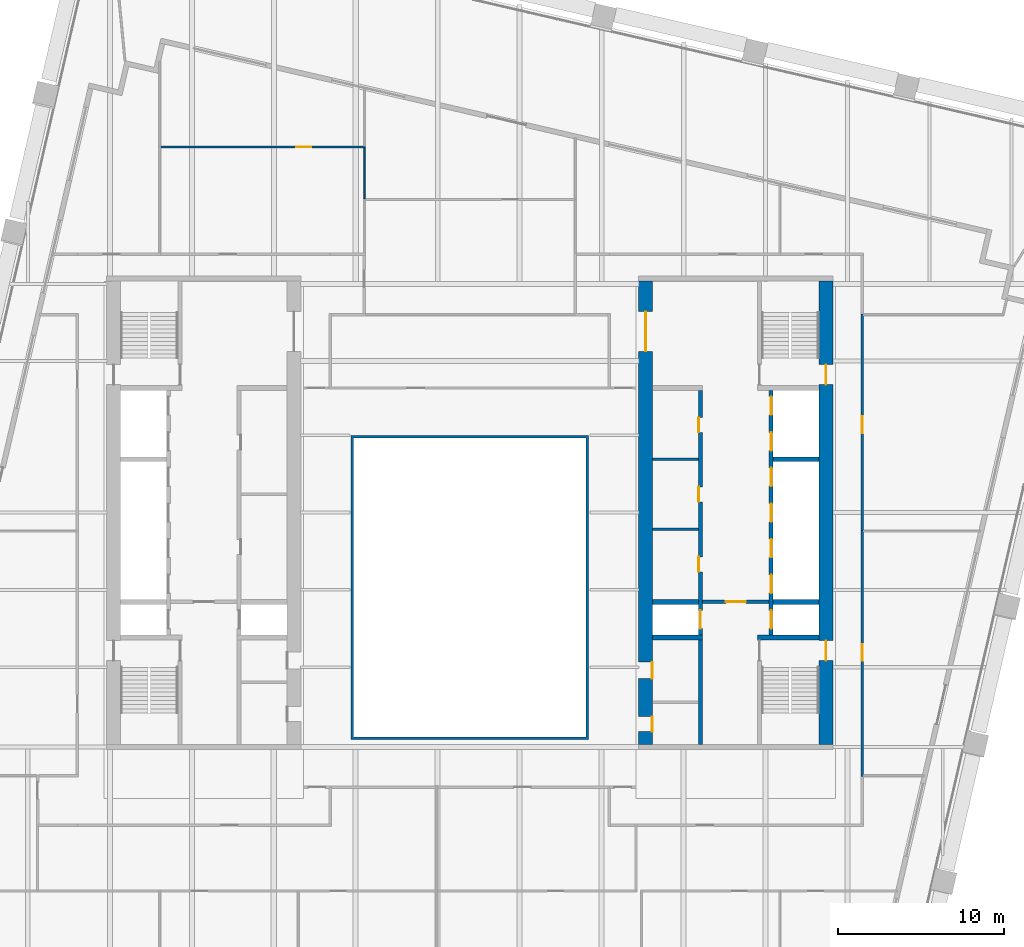
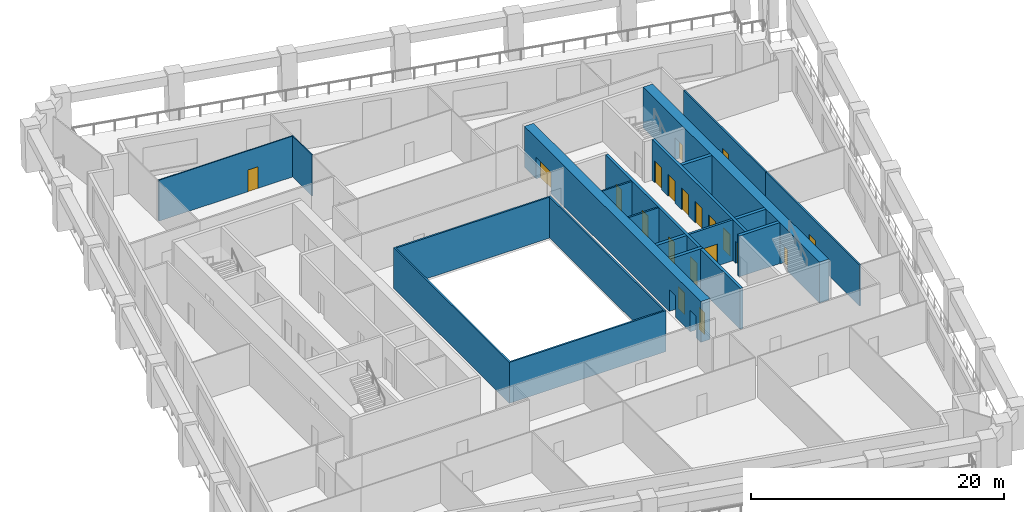
# One storey, part 6 of 10: 20 doors, 17 walls, 20 openings.
"""IFC4 building model written with IfcOpenShell, lengths in metres."""

from ifc_helpers import new_model, si_unit, direction, frame, frame_2d, origin, place, context, subcontext, project, spatial, polyline, rectangle, outline, extrude, material, layer, layer_set, type_object, element, fill, save


model = new_model("IFC4")

# Units and contexts
model_context = context("Model", 3, precision=1e-05, world=origin(), true_north=direction((0.0, 1.0)))
body_context = subcontext(model_context, "Body", "Model", "MODEL_VIEW")
ifc_project = project(units=[si_unit("LENGTHUNIT", "METRE"), si_unit("AREAUNIT", "SQUARE_METRE"), si_unit("VOLUMEUNIT", "CUBIC_METRE"), si_unit("PLANEANGLEUNIT", "RADIAN"), si_unit("MASSUNIT", "GRAM", prefix="KILO")], contexts=[model_context])

# Site, building, storey
site_placement = place(None, origin())
site = spatial("IfcSite", under=ifc_project, at=site_placement, CompositionType="ELEMENT")
building_placement = place(site_placement, origin())
building = spatial("IfcBuilding", under=site, at=building_placement, Name="Ogive Exchange Tower", CompositionType="ELEMENT")
storey_placement = place(building_placement, frame((0.0, 0.0, 151.800048828125)))
storey = spatial("IfcBuildingStorey", under=building, at=storey_placement, Name="L33", CompositionType="ELEMENT", Elevation=151.800048828125)

# Walls
ifc_material_1 = material(Name="Gypsum board partition")
ifc_layer_1 = layer(ifc_material_1, 0.14990234375)
ifc_layer_set_1 = layer_set([ifc_layer_1], Name="Core room partition 150 gypsum")
wall_type_1 = type_object("IfcWallType", Name="Core room partition 150 gypsum", PredefinedType="PARTITIONING", material=ifc_layer_set_1)
for number, where, z_axis, x_axis, name in (
    (1, (11.0, 10.5, 0.0), (0.0, 0.0, 1.0), (1.0, 0.0, 0.0), "E row B bay partition 1-1"),
    (2, (11.0, 14.699951171875, 0.0), (0.0, 0.0, 1.0), (1.0, 0.0, 0.0), "E row B bay partition 1-2"),
):
    element("IfcWall", number, at=place(storey_placement, frame(where, z_axis=z_axis, x_axis=x_axis)), inside=storey, type_object=wall_type_1, Name=name, PredefinedType="PARTITIONING", context=body_context, shape_type="SweptSolid", body=[
        extrude(rectangle(XDim=2.75, YDim=0.14990234375, at=frame_2d((1.375, 0.0))), origin(), (0.0, 0.0, 1.0), 3.949951171875),
    ])

# Wall, opening, door
ifc_material_2 = material(Name="Fire partition EI 60 150")
ifc_layer_2 = layer(ifc_material_2, 0.14990234375)
ifc_layer_set_2 = layer_set([ifc_layer_2], Name="Fire partition EI 60 150")
wall_type_2 = type_object("IfcWallType", Name="Fire partition EI 60 150", PredefinedType="PARTITIONING", material=ifc_layer_set_2)
wall_1_placement = place(storey_placement, frame((23.60009765625, 10.43994140625, 0.0), z_axis=(0.0, 0.0, 1.0), x_axis=(0.0, -1.0, 0.0)))
wall_1 = element("IfcWall", 3, at=wall_1_placement, inside=storey, type_object=wall_type_2, Name="L33-PWL-056", PredefinedType="PARTITIONING", context=body_context, shape_type="SweptSolid", body=[
    extrude(rectangle(XDim=14.81005859375, YDim=0.14990234375, at=frame_2d((7.405029296875, 0.0))), origin(), (0.0, 0.0, 1.0), 3.949951171875),
])
opening_1_placement = place(wall_1_placement, frame((6.860107421875, 0.0, 0.0)))
opening_1 = element("IfcOpeningElement", 4, at=opening_1_placement, cuts=wall_1, Name="Opening L33-I11", PredefinedType="OPENING", context=body_context, shape_type="SweptSolid", body=[
    extrude(rectangle(XDim=1.0, YDim=2.10009765625, at=frame_2d((0.5, 1.050048828125))), frame((0.0, 0.0849609375, 0.0), z_axis=(0.0, -1.0, 0.0), x_axis=(1.0, 0.0, 0.0)), (0.0, 0.0, 1.0), 0.169921875),
])
ifc_material_3 = material(Name="Fire door FD 30S 1000 x 2100")
door_type_1 = type_object("IfcDoorType", Name="Fire door FD 30S 1000 x 2100", OperationType="NOTDEFINED", PredefinedType="DOOR", material=ifc_material_3)
door_1_placement = place(opening_1_placement, origin())
door_1 = element("IfcDoor", 5, at=door_1_placement, inside=storey, type_object=door_type_1, Name="L33-IDR-011", ObjectType="DT3", OperationType="SINGLE_SWING_RIGHT", OverallHeight=2.10009765625, OverallWidth=1.0, PredefinedType="DOOR", context=body_context, shape_type="SweptSolid", body=[
    extrude(rectangle(XDim=1.0, YDim=2.10009765625, at=frame_2d((0.5, 1.050048828125))), frame((0.0, 0.02490234375, 0.0), z_axis=(0.0, -1.0, 0.0), x_axis=(1.0, 0.0, 0.0)), (0.0, 0.0, 1.0), 0.050048828125),
])
fill(opening_1, door_1)

wall_2_placement = place(storey_placement, frame((23.60009765625, 23.4599609375, 0.0), z_axis=(0.0, 0.0, 1.0), x_axis=(0.0, -1.0, 0.0)))
wall_2 = element("IfcWall", 6, at=wall_2_placement, inside=storey, type_object=wall_type_2, Name="L33-PWL-057", PredefinedType="PARTITIONING", context=body_context, shape_type="SweptSolid", body=[
    extrude(rectangle(XDim=13.02001953125, YDim=0.14990234375, at=frame_2d((6.510009765625, 0.0))), origin(), (0.0, 0.0, 1.0), 3.949951171875),
])
opening_2_placement = place(wall_2_placement, frame((6.169921875, 0.0, 0.0)))
opening_2 = element("IfcOpeningElement", 7, at=opening_2_placement, cuts=wall_2, Name="Opening L33-I03", PredefinedType="OPENING", context=body_context, shape_type="SweptSolid", body=[
    extrude(rectangle(XDim=1.0, YDim=2.10009765625, at=frame_2d((0.5, 1.050048828125))), frame((0.0, 0.0849609375, 0.0), z_axis=(0.0, -1.0, 0.0), x_axis=(1.0, 0.0, 0.0)), (0.0, 0.0, 1.0), 0.169921875),
])
door_2_placement = place(opening_2_placement, origin())
door_2 = element("IfcDoor", 8, at=door_2_placement, inside=storey, type_object=door_type_1, Name="L33-IDR-003", ObjectType="DT3", OperationType="SINGLE_SWING_LEFT", OverallHeight=2.10009765625, OverallWidth=1.0, PredefinedType="DOOR", context=body_context, shape_type="SweptSolid", body=[
    extrude(rectangle(XDim=1.0, YDim=2.10009765625, at=frame_2d((0.5, 1.050048828125))), frame((0.0, 0.02490234375, 0.0), z_axis=(0.0, -1.0, 0.0), x_axis=(1.0, 0.0, 0.0)), (0.0, 0.0, 1.0), 0.050048828125),
])
fill(opening_2, door_2)

# Wall
ifc_material_4 = material(Name="Fire-resisting glass in steel frame", Category="steel")
ifc_layer_3 = layer(ifc_material_4, 0.14990234375)
ifc_layer_set_3 = layer_set([ifc_layer_3], Name="Fire-rated glazed wall 150")
wall_type_3 = type_object("IfcWallType", Name="Fire-rated glazed wall 150", PredefinedType="STANDARD", material=ifc_layer_set_3)
wall_3_placement = place(storey_placement, origin())
element("IfcWall", 9, at=wall_3_placement, inside=storey, type_object=wall_type_3, Name="Nave enclosure wall", PredefinedType="STANDARD", context=body_context, shape_type="SweptSolid", body=[
    extrude(outline(polyline([(-7.14990234375, -2.14990234375), (7.14990234375, -2.14990234375), (7.14990234375, 16.14990234375), (-7.14990234375, 16.14990234375), (-7.14990234375, -2.14990234375)]), holes=[polyline([(-7.0, -2.0), (-7.0, 16.0), (7.0, 16.0), (7.0, -2.0), (-7.0, -2.0)])]), origin(), (0.0, 0.0, 1.0), 3.949951171875),
])

# Wall, opening, door
ifc_material_5 = material(Name="Partition 100 gypsum")
ifc_layer_4 = layer(ifc_material_5, 0.10009765625)
ifc_layer_set_4 = layer_set([ifc_layer_4], Name="Partition 100 gypsum")
wall_type_4 = type_object("IfcWallType", Name="Partition 100 gypsum", PredefinedType="PARTITIONING", material=ifc_layer_set_4)
wall_4_placement = place(storey_placement, frame((-18.60009765625, 33.5, 0.0), z_axis=(0.0, 0.0, 1.0), x_axis=(1.0, 0.0, 0.0)))
wall_4 = element("IfcWall", 10, at=wall_4_placement, inside=storey, type_object=wall_type_4, Name="L33-PWL-018", PredefinedType="PARTITIONING", context=body_context, shape_type="SweptSolid", body=[
    extrude(rectangle(XDim=12.31005859375, YDim=0.10009765625, at=frame_2d((6.155029296875, 0.0))), origin(), (0.0, 0.0, 1.0), 3.949951171875),
])
opening_3_placement = place(wall_4_placement, frame((8.159912109375, 0.0, 0.0)))
opening_3 = element("IfcOpeningElement", 11, at=opening_3_placement, cuts=wall_4, Name="Opening L33-I09", PredefinedType="OPENING", context=body_context, shape_type="SweptSolid", body=[
    extrude(rectangle(XDim=0.89990234375, YDim=2.10009765625, at=frame_2d((0.449951171875, 1.050048828125))), frame((0.0, 0.06005859375, 0.0), z_axis=(0.0, -1.0, 0.0), x_axis=(1.0, 0.0, 0.0)), (0.0, 0.0, 1.0), 0.1201171875),
])
ifc_material_6 = material(Name="Door 900 x 2100")
door_type_2 = type_object("IfcDoorType", Name="Door 900 x 2100", OperationType="NOTDEFINED", PredefinedType="DOOR", material=ifc_material_6)
door_3_placement = place(opening_3_placement, origin())
door_3 = element("IfcDoor", 12, at=door_3_placement, inside=storey, type_object=door_type_2, Name="L33-IDR-009", ObjectType="DT1", OperationType="SINGLE_SWING_LEFT", OverallHeight=2.10009765625, OverallWidth=0.89990234375, PredefinedType="DOOR", context=body_context, shape_type="SweptSolid", body=[
    extrude(rectangle(XDim=0.89990234375, YDim=2.10009765625, at=frame_2d((0.449951171875, 1.050048828125))), frame((0.0, 0.02490234375, 0.0), z_axis=(0.0, -1.0, 0.0), x_axis=(1.0, 0.0, 0.0)), (0.0, 0.0, 1.0), 0.050048828125),
])
fill(opening_3, door_3)

# Wall
wall_5_placement = place(storey_placement, frame((-6.340087890625, 30.389892578125, 0.0), z_axis=(0.0, 0.0, 1.0), x_axis=(0.0, 1.0, 0.0)))
element("IfcWall", 13, at=wall_5_placement, inside=storey, type_object=wall_type_4, Name="L33-PWL-030", PredefinedType="PARTITIONING", context=body_context, shape_type="SweptSolid", body=[
    extrude(rectangle(XDim=3.06005859375, YDim=0.10009765625, at=frame_2d((1.530029296875, 0.0))), origin(), (0.0, 0.0, 1.0), 3.949951171875),
])

# Wall, opening, door
ifc_material_7 = material(Name="Concrete C70/85", Category="concrete")
ifc_layer_5 = layer(ifc_material_7, 0.199951171875)
ifc_layer_set_5 = layer_set([ifc_layer_5], Name="RC core wall 200 C70/85")
wall_type_5 = type_object("IfcWallType", Name="RC core wall 200 C70/85", PredefinedType="SHEAR", material=ifc_layer_set_5)
wall_6_placement = place(storey_placement, frame((14.0, 6.142822265625, 0.0), z_axis=(0.0, 0.0, 1.0), x_axis=(1.0, 0.0, 0.0)))
wall_6 = element("IfcWall", 14, at=wall_6_placement, inside=storey, type_object=wall_type_5, Name="E firefighting lobby wall", PredefinedType="SHEAR", context=body_context, shape_type="SweptSolid", body=[
    extrude(rectangle(XDim=4.0, YDim=0.199951171875, at=frame_2d((2.0, 0.0))), origin(), (0.0, 0.0, 1.0), 3.949951171875),
])
opening_4_placement = place(wall_6_placement, frame((1.39990234375, 0.0, 0.0)))
opening_4 = element("IfcOpeningElement", 15, at=opening_4_placement, cuts=wall_6, Name="Opening L33-C30", PredefinedType="OPENING", context=body_context, shape_type="SweptSolid", body=[
    extrude(rectangle(XDim=1.199951171875, YDim=2.10009765625, at=frame_2d((0.60009765625, 1.050048828125))), frame((0.0, 0.10986328125, 0.0), z_axis=(0.0, -1.0, 0.0), x_axis=(1.0, 0.0, 0.0)), (0.0, 0.0, 1.0), 0.219970703125),
])
ifc_material_8 = material(Name="Steel fire door", Category="steel")
door_type_3 = type_object("IfcDoorType", Name="Firefighting lobby door FD60 1200 x 2100", OperationType="NOTDEFINED", PredefinedType="DOOR", material=ifc_material_8)
door_4_placement = place(opening_4_placement, frame((1.199951171875, 0.0, 0.0), z_axis=(0.0, 0.0, 1.0), x_axis=(-1.0, 0.0, 0.0)))
door_4 = element("IfcDoor", 16, at=door_4_placement, inside=storey, type_object=door_type_3, Name="Firefighting lobby door", ObjectType="CD3", OperationType="SINGLE_SWING_LEFT", OverallHeight=2.10009765625, OverallWidth=1.199951171875, PredefinedType="DOOR", context=body_context, shape_type="SweptSolid", body=[
    extrude(rectangle(XDim=1.199951171875, YDim=2.10009765625, at=frame_2d((0.60009765625, 1.050048828125))), frame((0.0, 0.02490234375, 0.0), z_axis=(0.0, -1.0, 0.0), x_axis=(1.0, 0.0, 0.0)), (0.0, 0.0, 1.0), 0.050048828125),
])
fill(opening_4, door_4)

# Wall, openings, doors
ifc_layer_6 = layer(ifc_material_7, 0.25)
ifc_layer_set_6 = layer_set([ifc_layer_6], Name="RC core wall 250 C70/85")
wall_type_6 = type_object("IfcWallType", Name="RC core wall 250 C70/85", PredefinedType="SHEAR", material=ifc_layer_set_6)
wall_7_placement = place(storey_placement, frame((18.125, 4.14990234375, 0.0), z_axis=(0.0, 0.0, 1.0), x_axis=(0.0, 1.0, 0.0)))
wall_7 = element("IfcWall", 17, at=wall_7_placement, inside=storey, type_object=wall_type_6, Name="E row A front wall", PredefinedType="SHEAR", context=body_context, shape_type="SweptSolid", body=[
    extrude(rectangle(XDim=14.7001953125, YDim=0.25, at=frame_2d((7.35009765625, 0.0))), origin(), (0.0, 0.0, 1.0), 3.949951171875),
])
opening_5_placement = place(wall_7_placement, frame((0.371337890625, 0.0, 0.0)))
opening_5 = element("IfcOpeningElement", 18, at=opening_5_placement, cuts=wall_7, Name="Opening L33-C19", PredefinedType="OPENING", context=body_context, shape_type="SweptSolid", body=[
    extrude(rectangle(XDim=1.10009765625, YDim=2.10009765625, at=frame_2d((0.550048828125, 1.050048828125))), frame((0.0, 0.135009765625, 0.0), z_axis=(0.0, -1.0, 0.0), x_axis=(1.0, 0.0, 0.0)), (0.0, 0.0, 1.0), 0.27001953125),
])
opening_6_placement = place(wall_7_placement, frame((2.514404296875, 0.0, 0.0)))
opening_6 = element("IfcOpeningElement", 19, at=opening_6_placement, cuts=wall_7, Name="Opening L33-C20", PredefinedType="OPENING", context=body_context, shape_type="SweptSolid", body=[
    extrude(rectangle(XDim=1.10009765625, YDim=2.10009765625, at=frame_2d((0.550048828125, 1.050048828125))), frame((0.0, 0.135009765625, 0.0), z_axis=(0.0, -1.0, 0.0), x_axis=(1.0, 0.0, 0.0)), (0.0, 0.0, 1.0), 0.27001953125),
])
opening_7_placement = place(wall_7_placement, frame((4.656982421875, 0.0, 0.0)))
opening_7 = element("IfcOpeningElement", 20, at=opening_7_placement, cuts=wall_7, Name="Opening L33-C21", PredefinedType="OPENING", context=body_context, shape_type="SweptSolid", body=[
    extrude(rectangle(XDim=1.10009765625, YDim=2.10009765625, at=frame_2d((0.550048828125, 1.050048828125))), frame((0.0, 0.135009765625, 0.0), z_axis=(0.0, -1.0, 0.0), x_axis=(1.0, 0.0, 0.0)), (0.0, 0.0, 1.0), 0.27001953125),
])
opening_8_placement = place(wall_7_placement, frame((6.800048828125, 0.0, 0.0)))
opening_8 = element("IfcOpeningElement", 21, at=opening_8_placement, cuts=wall_7, Name="Opening L33-C22", PredefinedType="OPENING", context=body_context, shape_type="SweptSolid", body=[
    extrude(rectangle(XDim=1.10009765625, YDim=2.10009765625, at=frame_2d((0.550048828125, 1.050048828125))), frame((0.0, 0.135009765625, 0.0), z_axis=(0.0, -1.0, 0.0), x_axis=(1.0, 0.0, 0.0)), (0.0, 0.0, 1.0), 0.27001953125),
])
opening_9_placement = place(wall_7_placement, frame((8.94287109375, 0.0, 0.0)))
opening_9 = element("IfcOpeningElement", 22, at=opening_9_placement, cuts=wall_7, Name="Opening L33-C23", PredefinedType="OPENING", context=body_context, shape_type="SweptSolid", body=[
    extrude(rectangle(XDim=1.10009765625, YDim=2.10009765625, at=frame_2d((0.550048828125, 1.050048828125))), frame((0.0, 0.135009765625, 0.0), z_axis=(0.0, -1.0, 0.0), x_axis=(1.0, 0.0, 0.0)), (0.0, 0.0, 1.0), 0.27001953125),
])
opening_10_placement = place(wall_7_placement, frame((11.085693359375, 0.0, 0.0)))
opening_10 = element("IfcOpeningElement", 23, at=opening_10_placement, cuts=wall_7, Name="Opening L33-C24", PredefinedType="OPENING", context=body_context, shape_type="SweptSolid", body=[
    extrude(rectangle(XDim=1.10009765625, YDim=2.10009765625, at=frame_2d((0.550048828125, 1.050048828125))), frame((0.0, 0.135009765625, 0.0), z_axis=(0.0, -1.0, 0.0), x_axis=(1.0, 0.0, 0.0)), (0.0, 0.0, 1.0), 0.27001953125),
])
opening_11_placement = place(wall_7_placement, frame((13.228515625, 0.0, 0.0)))
opening_11 = element("IfcOpeningElement", 24, at=opening_11_placement, cuts=wall_7, Name="Opening L33-C25", PredefinedType="OPENING", context=body_context, shape_type="SweptSolid", body=[
    extrude(rectangle(XDim=1.10009765625, YDim=2.10009765625, at=frame_2d((0.550048828125, 1.050048828125))), frame((0.0, 0.135009765625, 0.0), z_axis=(0.0, -1.0, 0.0), x_axis=(1.0, 0.0, 0.0)), (0.0, 0.0, 1.0), 0.27001953125),
])
ifc_material_9 = material(Name="Stainless steel", Category="steel")
door_type_4 = type_object("IfcDoorType", Name="Lift landing door FD90 1100 x 2100", OperationType="SLIDING_TO_LEFT", PredefinedType="DOOR", material=ifc_material_9)
door_5_placement = place(opening_5_placement, origin())
door_5 = element("IfcDoor", 25, at=door_5_placement, inside=storey, type_object=door_type_4, Name="Lift landing door FF2", ObjectType="LD", OperationType="SLIDING_TO_LEFT", OverallHeight=2.10009765625, OverallWidth=1.10009765625, PredefinedType="DOOR", context=body_context, shape_type="SweptSolid", body=[
    extrude(rectangle(XDim=1.10009765625, YDim=2.10009765625, at=frame_2d((0.550048828125, 1.050048828125))), frame((0.0, 0.02490234375, 0.0), z_axis=(0.0, -1.0, 0.0), x_axis=(1.0, 0.0, 0.0)), (0.0, 0.0, 1.0), 0.050048828125),
])
fill(opening_5, door_5)
door_6_placement = place(opening_6_placement, origin())
door_6 = element("IfcDoor", 26, at=door_6_placement, inside=storey, type_object=door_type_4, Name="Lift landing door E-L1", ObjectType="LD", OperationType="SLIDING_TO_LEFT", OverallHeight=2.10009765625, OverallWidth=1.10009765625, PredefinedType="DOOR", context=body_context, shape_type="SweptSolid", body=[
    extrude(rectangle(XDim=1.10009765625, YDim=2.10009765625, at=frame_2d((0.550048828125, 1.050048828125))), frame((0.0, 0.02490234375, 0.0), z_axis=(0.0, -1.0, 0.0), x_axis=(1.0, 0.0, 0.0)), (0.0, 0.0, 1.0), 0.050048828125),
])
fill(opening_6, door_6)
door_7_placement = place(opening_7_placement, origin())
door_7 = element("IfcDoor", 27, at=door_7_placement, inside=storey, type_object=door_type_4, Name="Lift landing door E-L2", ObjectType="LD", OperationType="SLIDING_TO_LEFT", OverallHeight=2.10009765625, OverallWidth=1.10009765625, PredefinedType="DOOR", context=body_context, shape_type="SweptSolid", body=[
    extrude(rectangle(XDim=1.10009765625, YDim=2.10009765625, at=frame_2d((0.550048828125, 1.050048828125))), frame((0.0, 0.02490234375, 0.0), z_axis=(0.0, -1.0, 0.0), x_axis=(1.0, 0.0, 0.0)), (0.0, 0.0, 1.0), 0.050048828125),
])
fill(opening_7, door_7)
door_8_placement = place(opening_8_placement, origin())
door_8 = element("IfcDoor", 28, at=door_8_placement, inside=storey, type_object=door_type_4, Name="Lift landing door E-L3", ObjectType="LD", OperationType="SLIDING_TO_LEFT", OverallHeight=2.10009765625, OverallWidth=1.10009765625, PredefinedType="DOOR", context=body_context, shape_type="SweptSolid", body=[
    extrude(rectangle(XDim=1.10009765625, YDim=2.10009765625, at=frame_2d((0.550048828125, 1.050048828125))), frame((0.0, 0.02490234375, 0.0), z_axis=(0.0, -1.0, 0.0), x_axis=(1.0, 0.0, 0.0)), (0.0, 0.0, 1.0), 0.050048828125),
])
fill(opening_8, door_8)
door_9_placement = place(opening_9_placement, origin())
door_9 = element("IfcDoor", 29, at=door_9_placement, inside=storey, type_object=door_type_4, Name="Lift landing door E-L4", ObjectType="LD", OperationType="SLIDING_TO_LEFT", OverallHeight=2.10009765625, OverallWidth=1.10009765625, PredefinedType="DOOR", context=body_context, shape_type="SweptSolid", body=[
    extrude(rectangle(XDim=1.10009765625, YDim=2.10009765625, at=frame_2d((0.550048828125, 1.050048828125))), frame((0.0, 0.02490234375, 0.0), z_axis=(0.0, -1.0, 0.0), x_axis=(1.0, 0.0, 0.0)), (0.0, 0.0, 1.0), 0.050048828125),
])
fill(opening_9, door_9)
door_10_placement = place(opening_10_placement, origin())
door_10 = element("IfcDoor", 30, at=door_10_placement, inside=storey, type_object=door_type_4, Name="Lift landing door E-SH1", ObjectType="LD", OperationType="SLIDING_TO_LEFT", OverallHeight=2.10009765625, OverallWidth=1.10009765625, PredefinedType="DOOR", context=body_context, shape_type="SweptSolid", body=[
    extrude(rectangle(XDim=1.10009765625, YDim=2.10009765625, at=frame_2d((0.550048828125, 1.050048828125))), frame((0.0, 0.02490234375, 0.0), z_axis=(0.0, -1.0, 0.0), x_axis=(1.0, 0.0, 0.0)), (0.0, 0.0, 1.0), 0.050048828125),
])
fill(opening_10, door_10)
door_11_placement = place(opening_11_placement, origin())
door_11 = element("IfcDoor", 31, at=door_11_placement, inside=storey, type_object=door_type_4, Name="Lift landing door E-SH2", ObjectType="LD", OperationType="SLIDING_TO_LEFT", OverallHeight=2.10009765625, OverallWidth=1.10009765625, PredefinedType="DOOR", context=body_context, shape_type="SweptSolid", body=[
    extrude(rectangle(XDim=1.10009765625, YDim=2.10009765625, at=frame_2d((0.550048828125, 1.050048828125))), frame((0.0, 0.02490234375, 0.0), z_axis=(0.0, -1.0, 0.0), x_axis=(1.0, 0.0, 0.0)), (0.0, 0.0, 1.0), 0.050048828125),
])
fill(opening_11, door_11)

wall_8_placement = place(storey_placement, frame((13.875, -2.449951171875, 0.0), z_axis=(0.0, 0.0, 1.0), x_axis=(0.0, 1.0, 0.0)))
wall_8 = element("IfcWall", 32, at=wall_8_placement, inside=storey, type_object=wall_type_6, Name="E row B front wall", PredefinedType="SHEAR", context=body_context, shape_type="SweptSolid", body=[
    extrude(rectangle(XDim=21.300048828125, YDim=0.25, at=frame_2d((10.64990234375, 0.0))), origin(), (0.0, 0.0, 1.0), 3.949951171875),
])
opening_12_placement = place(wall_8_placement, frame((10.396484375, 0.0, 0.0)))
opening_12 = element("IfcOpeningElement", 33, at=opening_12_placement, cuts=wall_8, Name="Opening L33-C26", PredefinedType="OPENING", context=body_context, shape_type="SweptSolid", body=[
    extrude(rectangle(XDim=0.89990234375, YDim=2.10009765625, at=frame_2d((0.449951171875, 1.050048828125))), frame((0.0, 0.135009765625, 0.0), z_axis=(0.0, -1.0, 0.0), x_axis=(1.0, 0.0, 0.0)), (0.0, 0.0, 1.0), 0.27001953125),
])
opening_13_placement = place(wall_8_placement, frame((14.60009765625, 0.0, 0.0)))
opening_13 = element("IfcOpeningElement", 34, at=opening_13_placement, cuts=wall_8, Name="Opening L33-C27", PredefinedType="OPENING", context=body_context, shape_type="SweptSolid", body=[
    extrude(rectangle(XDim=0.89990234375, YDim=2.10009765625, at=frame_2d((0.449951171875, 1.050048828125))), frame((0.0, 0.135009765625, 0.0), z_axis=(0.0, -1.0, 0.0), x_axis=(1.0, 0.0, 0.0)), (0.0, 0.0, 1.0), 0.27001953125),
])
opening_14_placement = place(wall_8_placement, frame((18.77490234375, 0.0, 0.0)))
opening_14 = element("IfcOpeningElement", 35, at=opening_14_placement, cuts=wall_8, Name="Opening L33-C28", PredefinedType="OPENING", context=body_context, shape_type="SweptSolid", body=[
    extrude(rectangle(XDim=0.89990234375, YDim=2.10009765625, at=frame_2d((0.449951171875, 1.050048828125))), frame((0.0, 0.135009765625, 0.0), z_axis=(0.0, -1.0, 0.0), x_axis=(1.0, 0.0, 0.0)), (0.0, 0.0, 1.0), 0.27001953125),
])
opening_15_placement = place(wall_8_placement, frame((6.971435546875, 0.0, 0.0)))
opening_15 = element("IfcOpeningElement", 36, at=opening_15_placement, cuts=wall_8, Name="Opening L33-C29", PredefinedType="OPENING", context=body_context, shape_type="SweptSolid", body=[
    extrude(rectangle(XDim=1.10009765625, YDim=2.10009765625, at=frame_2d((0.550048828125, 1.050048828125))), frame((0.0, 0.135009765625, 0.0), z_axis=(0.0, -1.0, 0.0), x_axis=(1.0, 0.0, 0.0)), (0.0, 0.0, 1.0), 0.27001953125),
])
door_12_placement = place(opening_15_placement, origin())
door_12 = element("IfcDoor", 37, at=door_12_placement, inside=storey, type_object=door_type_4, Name="Lift landing door SV2", ObjectType="LD", OperationType="SLIDING_TO_LEFT", OverallHeight=2.10009765625, OverallWidth=1.10009765625, PredefinedType="DOOR", context=body_context, shape_type="SweptSolid", body=[
    extrude(rectangle(XDim=1.10009765625, YDim=2.10009765625, at=frame_2d((0.550048828125, 1.050048828125))), frame((0.0, 0.02490234375, 0.0), z_axis=(0.0, -1.0, 0.0), x_axis=(1.0, 0.0, 0.0)), (0.0, 0.0, 1.0), 0.050048828125),
])
fill(opening_15, door_12)
door_type_5 = type_object("IfcDoorType", Name="Riser door FD60 900 x 2100", OperationType="NOTDEFINED", PredefinedType="DOOR", material=ifc_material_8)
door_13_placement = place(opening_12_placement, origin())
door_13 = element("IfcDoor", 38, at=door_13_placement, inside=storey, type_object=door_type_5, Name="Riser door", ObjectType="CD2", OperationType="SINGLE_SWING_RIGHT", OverallHeight=2.10009765625, OverallWidth=0.89990234375, PredefinedType="DOOR", context=body_context, shape_type="SweptSolid", body=[
    extrude(rectangle(XDim=0.89990234375, YDim=2.10009765625, at=frame_2d((0.449951171875, 1.050048828125))), frame((0.0, 0.125, 0.0), z_axis=(0.0, -1.0, 0.0), x_axis=(1.0, 0.0, 0.0)), (0.0, 0.0, 1.0), 0.050048828125),
])
fill(opening_12, door_13)
door_14_placement = place(opening_13_placement, origin())
door_14 = element("IfcDoor", 39, at=door_14_placement, inside=storey, type_object=door_type_5, Name="Riser door", ObjectType="CD2", OperationType="SINGLE_SWING_RIGHT", OverallHeight=2.10009765625, OverallWidth=0.89990234375, PredefinedType="DOOR", context=body_context, shape_type="SweptSolid", body=[
    extrude(rectangle(XDim=0.89990234375, YDim=2.10009765625, at=frame_2d((0.449951171875, 1.050048828125))), frame((0.0, 0.125, 0.0), z_axis=(0.0, -1.0, 0.0), x_axis=(1.0, 0.0, 0.0)), (0.0, 0.0, 1.0), 0.050048828125),
])
fill(opening_13, door_14)
door_15_placement = place(opening_14_placement, origin())
door_15 = element("IfcDoor", 40, at=door_15_placement, inside=storey, type_object=door_type_5, Name="Riser door", ObjectType="CD2", OperationType="SINGLE_SWING_LEFT", OverallHeight=2.10009765625, OverallWidth=0.89990234375, PredefinedType="DOOR", context=body_context, shape_type="SweptSolid", body=[
    extrude(rectangle(XDim=0.89990234375, YDim=2.10009765625, at=frame_2d((0.449951171875, 1.050048828125))), frame((0.0, 0.125, 0.0), z_axis=(0.0, -1.0, 0.0), x_axis=(1.0, 0.0, 0.0)), (0.0, 0.0, 1.0), 0.050048828125),
])
fill(opening_14, door_15)

# Walls
ifc_layer_7 = layer(ifc_material_7, 0.300048828125)
ifc_layer_set_7 = layer_set([ifc_layer_7], Name="RC core wall 300 C70/85")
wall_type_7 = type_object("IfcWallType", Name="RC core wall 300 C70/85", PredefinedType="SHEAR", material=ifc_layer_set_7)
wall_9_placement = place(storey_placement, frame((17.300048828125, 4.0, 0.0), z_axis=(0.0, 0.0, 1.0), x_axis=(1.0, 0.0, 0.0)))
element("IfcWall", 41, at=wall_9_placement, inside=storey, type_object=wall_type_7, Name="E stair S north wall", PredefinedType="SHEAR", context=body_context, shape_type="SweptSolid", body=[
    extrude(rectangle(XDim=3.699951171875, YDim=0.300048828125, at=frame_2d((1.85009765625, 0.0))), origin(), (0.0, 0.0, 1.0), 3.949951171875),
])
for number, where, z_axis, x_axis, name in (
    (42, (18.25, 6.142822265625, 0.0), (0.0, 0.0, 1.0), (1.0, 0.0, 0.0), "E row A divider 1"),
    (43, (18.25, 14.71435546875, 0.0), (0.0, 0.0, 1.0), (1.0, 0.0, 0.0), "E row A divider 5"),
):
    element("IfcWall", number, at=place(storey_placement, frame(where, z_axis=z_axis, x_axis=x_axis)), inside=storey, type_object=wall_type_7, Name=name, PredefinedType="SHEAR", context=body_context, shape_type="SweptSolid", body=[
        extrude(rectangle(XDim=2.75, YDim=0.300048828125, at=frame_2d((1.375, 0.0))), origin(), (0.0, 0.0, 1.0), 3.949951171875),
    ])
wall_10_placement = place(storey_placement, frame((11.0, 4.0, 0.0), z_axis=(0.0, 0.0, 1.0), x_axis=(1.0, 0.0, 0.0)))
element("IfcWall", 44, at=wall_10_placement, inside=storey, type_object=wall_type_7, Name="E row B divider 0", PredefinedType="SHEAR", context=body_context, shape_type="SweptSolid", body=[
    extrude(rectangle(XDim=3.0, YDim=0.300048828125, at=frame_2d((1.5, 0.0))), origin(), (0.0, 0.0, 1.0), 3.949951171875),
])
wall_11_placement = place(storey_placement, frame((11.0, 6.142822265625, 0.0), z_axis=(0.0, 0.0, 1.0), x_axis=(1.0, 0.0, 0.0)))
element("IfcWall", 45, at=wall_11_placement, inside=storey, type_object=wall_type_7, Name="E row B divider 1", PredefinedType="SHEAR", context=body_context, shape_type="SweptSolid", body=[
    extrude(rectangle(XDim=2.75, YDim=0.300048828125, at=frame_2d((1.375, 0.0))), origin(), (0.0, 0.0, 1.0), 3.949951171875),
])

# Wall, openings, doors
ifc_layer_8 = layer(ifc_material_7, 0.85009765625)
ifc_layer_set_8 = layer_set([ifc_layer_8], Name="RC core wall 850 C70/85")
wall_type_8 = type_object("IfcWallType", Name="RC core wall 850 C70/85", PredefinedType="SHEAR", material=ifc_layer_set_8)
wall_12_placement = place(storey_placement, frame((21.425048828125, -2.449951171875, 0.0), z_axis=(0.0, 0.0, 1.0), x_axis=(0.0, 1.0, 0.0)))
wall_12 = element("IfcWall", 46, at=wall_12_placement, inside=storey, type_object=wall_type_8, Name="E outer wall", PredefinedType="SHEAR", context=body_context, shape_type="SweptSolid", body=[
    extrude(rectangle(XDim=27.89990234375, YDim=0.85009765625, at=frame_2d((13.949951171875, 0.0))), origin(), (0.0, 0.0, 1.0), 3.949951171875),
])
opening_16_placement = place(wall_12_placement, frame((5.050048828125, 0.0, 0.0)))
opening_16 = element("IfcOpeningElement", 47, at=opening_16_placement, cuts=wall_12, Name="Opening L33-C33", PredefinedType="OPENING", context=body_context, shape_type="SweptSolid", body=[
    extrude(rectangle(XDim=1.199951171875, YDim=2.10009765625, at=frame_2d((0.60009765625, 1.050048828125))), frame((0.0, 0.43505859375, 0.0), z_axis=(0.0, -1.0, 0.0), x_axis=(1.0, 0.0, 0.0)), (0.0, 0.0, 1.0), 0.8701171875),
])
opening_17_placement = place(wall_12_placement, frame((21.64990234375, 0.0, 0.0)))
opening_17 = element("IfcOpeningElement", 48, at=opening_17_placement, cuts=wall_12, Name="Opening L33-C35", PredefinedType="OPENING", context=body_context, shape_type="SweptSolid", body=[
    extrude(rectangle(XDim=1.199951171875, YDim=2.10009765625, at=frame_2d((0.60009765625, 1.050048828125))), frame((0.0, 0.43505859375, 0.0), z_axis=(0.0, -1.0, 0.0), x_axis=(1.0, 0.0, 0.0)), (0.0, 0.0, 1.0), 0.8701171875),
])
door_type_6 = type_object("IfcDoorType", Name="Stair door FD90 1200 x 2100", OperationType="NOTDEFINED", PredefinedType="DOOR", material=ifc_material_8)
door_16_placement = place(opening_16_placement, origin())
door_16 = element("IfcDoor", 49, at=door_16_placement, inside=storey, type_object=door_type_6, Name="Stair door", ObjectType="CD5", OperationType="SINGLE_SWING_LEFT", OverallHeight=2.10009765625, OverallWidth=1.199951171875, PredefinedType="DOOR", context=body_context, shape_type="SweptSolid", body=[
    extrude(rectangle(XDim=1.199951171875, YDim=2.10009765625, at=frame_2d((0.60009765625, 1.050048828125))), frame((0.0, 0.02490234375, 0.0), z_axis=(0.0, -1.0, 0.0), x_axis=(1.0, 0.0, 0.0)), (0.0, 0.0, 1.0), 0.050048828125),
])
fill(opening_16, door_16)
door_17_placement = place(opening_17_placement, origin())
door_17 = element("IfcDoor", 50, at=door_17_placement, inside=storey, type_object=door_type_6, Name="Stair door", ObjectType="CD5", OperationType="SINGLE_SWING_RIGHT", OverallHeight=2.10009765625, OverallWidth=1.199951171875, PredefinedType="DOOR", context=body_context, shape_type="SweptSolid", body=[
    extrude(rectangle(XDim=1.199951171875, YDim=2.10009765625, at=frame_2d((0.60009765625, 1.050048828125))), frame((0.0, 0.02490234375, 0.0), z_axis=(0.0, -1.0, 0.0), x_axis=(1.0, 0.0, 0.0)), (0.0, 0.0, 1.0), 0.050048828125),
])
fill(opening_17, door_17)

wall_13_placement = place(storey_placement, frame((10.574951171875, -2.449951171875, 0.0), z_axis=(0.0, 0.0, 1.0), x_axis=(0.0, 1.0, 0.0)))
wall_13 = element("IfcWall", 51, at=wall_13_placement, inside=storey, type_object=wall_type_8, Name="E inner wall", PredefinedType="SHEAR", context=body_context, shape_type="SweptSolid", body=[
    extrude(rectangle(XDim=27.89990234375, YDim=0.85009765625, at=frame_2d((13.949951171875, 0.0))), origin(), (0.0, 0.0, 1.0), 3.949951171875),
])
opening_18_placement = place(wall_13_placement, frame((23.64990234375, 0.0, 0.0)))
opening_18 = element("IfcOpeningElement", 52, at=opening_18_placement, cuts=wall_13, Name="Opening L33-C31", PredefinedType="OPENING", context=body_context, shape_type="SweptSolid", body=[
    extrude(rectangle(XDim=2.39990234375, YDim=2.10009765625, at=frame_2d((1.199951171875, 1.050048828125))), frame((0.0, 0.43505859375, 0.0), z_axis=(0.0, -1.0, 0.0), x_axis=(1.0, 0.0, 0.0)), (0.0, 0.0, 1.0), 0.8701171875),
])
opening_19_placement = place(wall_13_placement, frame((0.78759765625, 0.0, 0.0)))
opening_19 = element("IfcOpeningElement", 53, at=opening_19_placement, cuts=wall_13, Name="Opening L33-C36", PredefinedType="OPENING", context=body_context, shape_type="SweptSolid", body=[
    extrude(rectangle(XDim=0.89990234375, YDim=2.10009765625, at=frame_2d((0.449951171875, 1.050048828125))), frame((0.0, 0.43505859375, 0.0), z_axis=(0.0, -1.0, 0.0), x_axis=(1.0, 0.0, 0.0)), (0.0, 0.0, 1.0), 0.8701171875),
])
opening_20_placement = place(wall_13_placement, frame((3.96240234375, 0.0, 0.0)))
opening_20 = element("IfcOpeningElement", 54, at=opening_20_placement, cuts=wall_13, Name="Opening L33-C37", PredefinedType="OPENING", context=body_context, shape_type="SweptSolid", body=[
    extrude(rectangle(XDim=1.0, YDim=2.10009765625, at=frame_2d((0.5, 1.050048828125))), frame((0.0, 0.43505859375, 0.0), z_axis=(0.0, -1.0, 0.0), x_axis=(1.0, 0.0, 0.0)), (0.0, 0.0, 1.0), 0.8701171875),
])
ifc_material_10 = material(Name="Timber fire door", Category="wood")
door_type_7 = type_object("IfcDoorType", Name="Accessible WC door FD30S 1000 x 2100", OperationType="NOTDEFINED", PredefinedType="DOOR", material=ifc_material_10)
door_18_placement = place(opening_20_placement, frame((1.0, -0.7998046875, 0.0), z_axis=(0.0, 0.0, 1.0), x_axis=(-1.0, 0.0, 0.0)))
door_18 = element("IfcDoor", 55, at=door_18_placement, inside=storey, type_object=door_type_7, Name="Accessible WC door", ObjectType="CD7", OperationType="SINGLE_SWING_RIGHT", OverallHeight=2.10009765625, OverallWidth=1.0, PredefinedType="DOOR", context=body_context, shape_type="SweptSolid", body=[
    extrude(rectangle(XDim=1.0, YDim=2.10009765625, at=frame_2d((0.5, 1.050048828125))), frame((0.0, -0.375, 0.0), z_axis=(0.0, -1.0, 0.0), x_axis=(1.0, 0.0, 0.0)), (0.0, 0.0, 1.0), 0.050048828125),
])
fill(opening_20, door_18)
door_type_8 = type_object("IfcDoorType", Name="Core room door FD30S 900 x 2100", OperationType="NOTDEFINED", PredefinedType="DOOR", material=ifc_material_10)
door_19_placement = place(opening_19_placement, frame((0.89990234375, -0.7998046875, 0.0), z_axis=(0.0, 0.0, 1.0), x_axis=(-1.0, 0.0, 0.0)))
door_19 = element("IfcDoor", 56, at=door_19_placement, inside=storey, type_object=door_type_8, Name="Core room door", ObjectType="CD6", OperationType="SINGLE_SWING_RIGHT", OverallHeight=2.10009765625, OverallWidth=0.89990234375, PredefinedType="DOOR", context=body_context, shape_type="SweptSolid", body=[
    extrude(rectangle(XDim=0.89990234375, YDim=2.10009765625, at=frame_2d((0.449951171875, 1.050048828125))), frame((0.0, -0.375, 0.0), z_axis=(0.0, -1.0, 0.0), x_axis=(1.0, 0.0, 0.0)), (0.0, 0.0, 1.0), 0.050048828125),
])
fill(opening_19, door_19)
ifc_material_11 = material(Name="Glazed steel fire door", Category="steel")
door_type_9 = type_object("IfcDoorType", Name="Lift lobby double door FD60 2400 x 2100", OperationType="DOUBLE_DOOR_SINGLE_SWING", PredefinedType="DOOR", material=ifc_material_11)
door_20_placement = place(opening_18_placement, frame((2.39990234375, 0.0, 0.0), z_axis=(0.0, 0.0, 1.0), x_axis=(-1.0, 0.0, 0.0)))
door_20 = element("IfcDoor", 57, at=door_20_placement, inside=storey, type_object=door_type_9, Name="Lift lobby double door", ObjectType="CD4", OperationType="DOUBLE_DOOR_SINGLE_SWING", OverallHeight=2.10009765625, OverallWidth=2.39990234375, PredefinedType="DOOR", context=body_context, shape_type="SweptSolid", body=[
    extrude(rectangle(XDim=2.39990234375, YDim=2.10009765625, at=frame_2d((1.199951171875, 1.050048828125))), frame((0.0, 0.02490234375, 0.0), z_axis=(0.0, -1.0, 0.0), x_axis=(1.0, 0.0, 0.0)), (0.0, 0.0, 1.0), 0.050048828125),
])
fill(opening_18, door_20)

save(model, "model.ifc")
